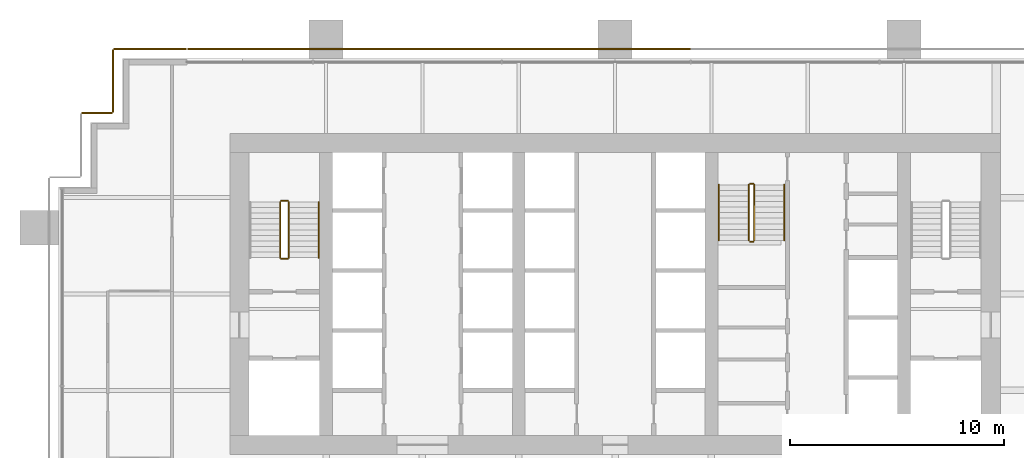
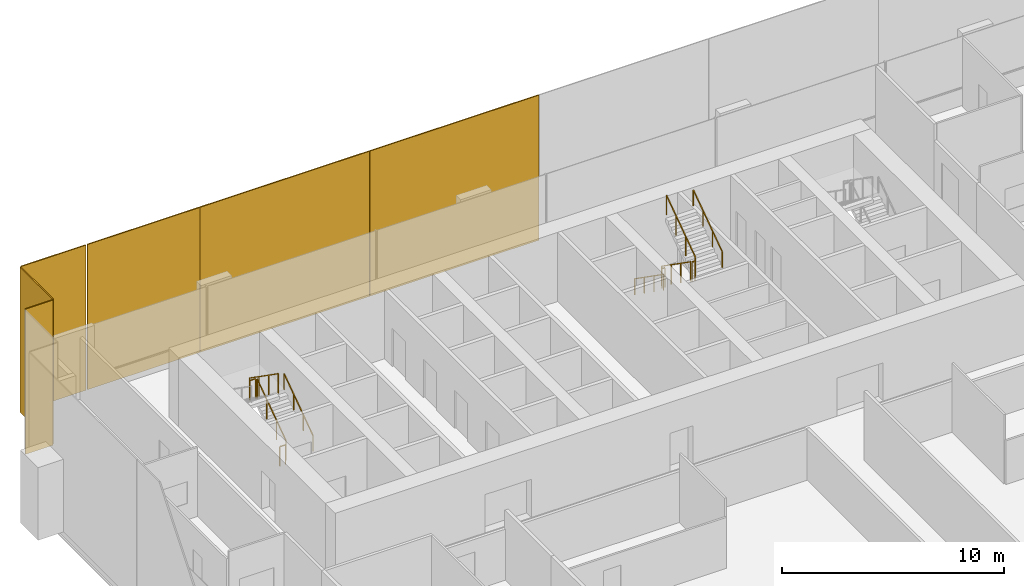
# One storey, part 18 of 19: 11 railings, 6 coverings.
"""IFC4 building model written with IfcOpenShell, lengths in metres."""

from ifc_helpers import new_model, si_unit, direction, frame, origin, origin_2d, place, context, subcontext, project, spatial, rectangle, extrude, material, layer, layer_set, type_object, element, save


model = new_model("IFC4")

# Units and contexts
model_context = context("Model", 3, precision=1e-05, world=origin(), true_north=direction((0.0, 1.0)))
body_context = subcontext(model_context, "Body", "Model", "MODEL_VIEW")
ifc_project = project(units=[si_unit("LENGTHUNIT", "METRE"), si_unit("AREAUNIT", "SQUARE_METRE"), si_unit("VOLUMEUNIT", "CUBIC_METRE"), si_unit("PLANEANGLEUNIT", "RADIAN"), si_unit("MASSUNIT", "GRAM", prefix="KILO")], contexts=[model_context])

# Site, building, storey
site_placement = place(None, origin())
site = spatial("IfcSite", under=ifc_project, at=site_placement, CompositionType="ELEMENT")
building_placement = place(site_placement, origin())
building = spatial("IfcBuilding", under=site, at=building_placement, Name="Rattan Terrace Tower", CompositionType="ELEMENT")
storey_placement = place(building_placement, frame((0.0, 0.0, 91.699951171875)))
storey = spatial("IfcBuildingStorey", under=building, at=storey_placement, Name="L20", CompositionType="ELEMENT", Elevation=91.699951171875)

# Railings
ifc_material_1 = material(Name="Powder-coated steel guard", Category="steel")
railing_type_1 = type_object("IfcRailingType", Name="Core stair guard", PredefinedType="GUARDRAIL", material=ifc_material_1)
railing_1_placement = place(storey_placement, frame((-15.25, 1.699951171875, 0.181884765625)))
element("IfcRailing", 1, at=railing_1_placement, inside=storey, type_object=railing_type_1, Name="L20 S1 stair guard 1", PredefinedType="GUARDRAIL", context=body_context, shape_type="SweptSolid", body=[
    extrude(rectangle(XDim=0.048095703125, YDim=0.048095703125, at=origin_2d()), frame((0.0, 0.0, 1.076171875), z_axis=(0.0, 0.819521025635, 0.573049115296), x_axis=(-1.0, 0.0, 0.0)), (0.0, 0.0, 1.0), 3.172607421875),
    extrude(rectangle(XDim=0.0419921875, YDim=0.0419921875, at=origin_2d()), origin(), (0.0, 0.0, 1.0), 1.052001953125),
    extrude(rectangle(XDim=0.0419921875, YDim=0.0419921875, at=origin_2d()), frame((0.0, 0.86669921875, 0.60595703125)), (0.0, 0.0, 1.0), 1.052001953125),
    extrude(rectangle(XDim=0.0419921875, YDim=0.0419921875, at=origin_2d()), frame((0.0, 1.7333984375, 1.212158203125)), (0.0, 0.0, 1.0), 1.052001953125),
    extrude(rectangle(XDim=0.0419921875, YDim=0.0419921875, at=origin_2d()), frame((0.0, 2.60009765625, 1.818115234375)), (0.0, 0.0, 1.0), 1.052001953125),
])
railing_2_placement = place(storey_placement, frame((-15.300048828125, 4.35009765625, 2.0)))
element("IfcRailing", 2, at=railing_2_placement, inside=storey, type_object=railing_type_1, Name="L20 S1 stair guard 2", PredefinedType="GUARDRAIL", context=body_context, shape_type="SweptSolid", body=[
    extrude(rectangle(XDim=0.048095703125, YDim=0.048095703125, at=origin_2d()), frame((0.0, 0.0, 1.076171875), z_axis=(-1.0, 0.0, 0.0), x_axis=(0.0, -1.0, 0.0)), (0.0, 0.0, 1.0), 0.300048828125),
    extrude(rectangle(XDim=0.0419921875, YDim=0.0419921875, at=origin_2d()), origin(), (0.0, 0.0, 1.0), 1.052001953125),
    extrude(rectangle(XDim=0.0419921875, YDim=0.0419921875, at=origin_2d()), frame((-0.300048828125, 0.0, 0.0)), (0.0, 0.0, 1.0), 1.052001953125),
])
railing_3_placement = place(storey_placement, frame((-15.64990234375, 4.300048828125, 2.181884765625)))
element("IfcRailing", 3, at=railing_3_placement, inside=storey, type_object=railing_type_1, Name="L20 S1 stair guard 3", PredefinedType="GUARDRAIL", context=body_context, shape_type="SweptSolid", body=[
    extrude(rectangle(XDim=0.048095703125, YDim=0.048095703125, at=origin_2d()), frame((0.0, 0.0, 1.076171875), z_axis=(0.0, -0.819521025635, 0.573049115296), x_axis=(1.0, 0.0, 0.0)), (0.0, 0.0, 1.0), 3.172607421875),
    extrude(rectangle(XDim=0.0419921875, YDim=0.0419921875, at=origin_2d()), origin(), (0.0, 0.0, 1.0), 1.052001953125),
    extrude(rectangle(XDim=0.0419921875, YDim=0.0419921875, at=origin_2d()), frame((0.0, -0.86669921875, 0.60595703125)), (0.0, 0.0, 1.0), 1.052001953125),
    extrude(rectangle(XDim=0.0419921875, YDim=0.0419921875, at=origin_2d()), frame((0.0, -1.7333984375, 1.212158203125)), (0.0, 0.0, 1.0), 1.052001953125),
    extrude(rectangle(XDim=0.0419921875, YDim=0.0419921875, at=origin_2d()), frame((0.0, -2.60009765625, 1.818115234375)), (0.0, 0.0, 1.0), 1.052001953125),
])
railing_4_placement = place(storey_placement, frame((-15.300048828125, 1.64990234375, 0.0)))
element("IfcRailing", 4, at=railing_4_placement, inside=storey, type_object=railing_type_1, Name="L20 S1 stair guard 4", PredefinedType="GUARDRAIL", context=body_context, shape_type="SweptSolid", body=[
    extrude(rectangle(XDim=0.048095703125, YDim=0.048095703125, at=origin_2d()), frame((0.0, 0.0, 1.076171875), z_axis=(-1.0, 0.0, 0.0), x_axis=(0.0, -1.0, 0.0)), (0.0, 0.0, 1.0), 0.300048828125),
    extrude(rectangle(XDim=0.0419921875, YDim=0.0419921875, at=origin_2d()), origin(), (0.0, 0.0, 1.0), 1.052001953125),
    extrude(rectangle(XDim=0.0419921875, YDim=0.0419921875, at=origin_2d()), frame((-0.300048828125, 0.0, 0.0)), (0.0, 0.0, 1.0), 1.052001953125),
])
railing_5_placement = place(storey_placement, frame((6.25, 5.10009765625, 0.181884765625)))
element("IfcRailing", 5, at=railing_5_placement, inside=storey, type_object=railing_type_1, Name="L20 S3 stair guard 1", PredefinedType="GUARDRAIL", context=body_context, shape_type="SweptSolid", body=[
    extrude(rectangle(XDim=0.048095703125, YDim=0.048095703125, at=origin_2d()), frame((0.0, 0.0, 1.076171875), z_axis=(0.0, -0.819521025635, 0.573049115296), x_axis=(1.0, 0.0, 0.0)), (0.0, 0.0, 1.0), 3.172607421875),
    extrude(rectangle(XDim=0.0419921875, YDim=0.0419921875, at=origin_2d()), origin(), (0.0, 0.0, 1.0), 1.052001953125),
    extrude(rectangle(XDim=0.0419921875, YDim=0.0419921875, at=origin_2d()), frame((0.0, -0.86669921875, 0.60595703125)), (0.0, 0.0, 1.0), 1.052001953125),
    extrude(rectangle(XDim=0.0419921875, YDim=0.0419921875, at=origin_2d()), frame((0.0, -1.7333984375, 1.212158203125)), (0.0, 0.0, 1.0), 1.052001953125),
    extrude(rectangle(XDim=0.0419921875, YDim=0.0419921875, at=origin_2d()), frame((0.0, -2.60009765625, 1.818115234375)), (0.0, 0.0, 1.0), 1.052001953125),
])
railing_6_placement = place(storey_placement, frame((6.300048828125, 2.449951171875, 2.0)))
element("IfcRailing", 6, at=railing_6_placement, inside=storey, type_object=railing_type_1, Name="L20 S3 stair guard 2", PredefinedType="GUARDRAIL", context=body_context, shape_type="SweptSolid", body=[
    extrude(rectangle(XDim=0.048095703125, YDim=0.048095703125, at=origin_2d()), frame((0.0, 0.0, 1.076171875), z_axis=(1.0, 0.0, 0.0), x_axis=(0.0, 1.0, 0.0)), (0.0, 0.0, 1.0), 0.14990234375),
    extrude(rectangle(XDim=0.0419921875, YDim=0.0419921875, at=origin_2d()), origin(), (0.0, 0.0, 1.0), 1.052001953125),
    extrude(rectangle(XDim=0.0419921875, YDim=0.0419921875, at=origin_2d()), frame((0.14990234375, 0.0, 0.0)), (0.0, 0.0, 1.0), 1.052001953125),
])
railing_7_placement = place(storey_placement, frame((6.5, 2.5, 2.181884765625)))
element("IfcRailing", 7, at=railing_7_placement, inside=storey, type_object=railing_type_1, Name="L20 S3 stair guard 3", PredefinedType="GUARDRAIL", context=body_context, shape_type="SweptSolid", body=[
    extrude(rectangle(XDim=0.048095703125, YDim=0.048095703125, at=origin_2d()), frame((0.0, 0.0, 1.076171875), z_axis=(0.0, 0.819521025635, 0.573049115296), x_axis=(-1.0, 0.0, 0.0)), (0.0, 0.0, 1.0), 3.172607421875),
    extrude(rectangle(XDim=0.0419921875, YDim=0.0419921875, at=origin_2d()), origin(), (0.0, 0.0, 1.0), 1.052001953125),
    extrude(rectangle(XDim=0.0419921875, YDim=0.0419921875, at=origin_2d()), frame((0.0, 0.86669921875, 0.60595703125)), (0.0, 0.0, 1.0), 1.052001953125),
    extrude(rectangle(XDim=0.0419921875, YDim=0.0419921875, at=origin_2d()), frame((0.0, 1.7333984375, 1.212158203125)), (0.0, 0.0, 1.0), 1.052001953125),
    extrude(rectangle(XDim=0.0419921875, YDim=0.0419921875, at=origin_2d()), frame((0.0, 2.60009765625, 1.818115234375)), (0.0, 0.0, 1.0), 1.052001953125),
])
railing_8_placement = place(storey_placement, frame((6.300048828125, 5.14990234375, 0.0)))
element("IfcRailing", 8, at=railing_8_placement, inside=storey, type_object=railing_type_1, Name="L20 S3 stair guard 4", PredefinedType="GUARDRAIL", context=body_context, shape_type="SweptSolid", body=[
    extrude(rectangle(XDim=0.048095703125, YDim=0.048095703125, at=origin_2d()), frame((0.0, 0.0, 1.076171875), z_axis=(1.0, 0.0, 0.0), x_axis=(0.0, 1.0, 0.0)), (0.0, 0.0, 1.0), 0.14990234375),
    extrude(rectangle(XDim=0.0419921875, YDim=0.0419921875, at=origin_2d()), origin(), (0.0, 0.0, 1.0), 1.052001953125),
    extrude(rectangle(XDim=0.0419921875, YDim=0.0419921875, at=origin_2d()), frame((0.14990234375, 0.0, 0.0)), (0.0, 0.0, 1.0), 1.052001953125),
])
ifc_material_2 = material(Name="Powder-coated steel handrail", Category="steel")
railing_type_2 = type_object("IfcRailingType", Name="Core stair handrail", PredefinedType="HANDRAIL", material=ifc_material_2)
railing_9_placement = place(storey_placement, frame((-13.85009765625, 1.699951171875, 0.181884765625)))
element("IfcRailing", 9, at=railing_9_placement, inside=storey, type_object=railing_type_2, Name="L20 S1 stair handrail 1", PredefinedType="HANDRAIL", context=body_context, shape_type="SweptSolid", body=[
    extrude(rectangle(XDim=0.048095703125, YDim=0.048095703125, at=origin_2d()), frame((0.0, 0.0, 0.8759765625), z_axis=(0.0, 0.819521025635, 0.573049115296), x_axis=(-1.0, 0.0, 0.0)), (0.0, 0.0, 1.0), 3.172607421875),
    extrude(rectangle(XDim=0.0419921875, YDim=0.0419921875, at=origin_2d()), origin(), (0.0, 0.0, 1.0), 0.851806640625),
    extrude(rectangle(XDim=0.0419921875, YDim=0.0419921875, at=origin_2d()), frame((0.0, 0.86669921875, 0.60595703125)), (0.0, 0.0, 1.0), 0.851806640625),
    extrude(rectangle(XDim=0.0419921875, YDim=0.0419921875, at=origin_2d()), frame((0.0, 1.7333984375, 1.212158203125)), (0.0, 0.0, 1.0), 0.851806640625),
    extrude(rectangle(XDim=0.0419921875, YDim=0.0419921875, at=origin_2d()), frame((0.0, 2.60009765625, 1.818115234375)), (0.0, 0.0, 1.0), 0.851806640625),
])
railing_10_placement = place(storey_placement, frame((4.85009765625, 5.10009765625, 0.181884765625)))
element("IfcRailing", 10, at=railing_10_placement, inside=storey, type_object=railing_type_2, Name="L20 S3 stair handrail 1", PredefinedType="HANDRAIL", context=body_context, shape_type="SweptSolid", body=[
    extrude(rectangle(XDim=0.048095703125, YDim=0.048095703125, at=origin_2d()), frame((0.0, 0.0, 0.8759765625), z_axis=(0.0, -0.819521025635, 0.573049115296), x_axis=(1.0, 0.0, 0.0)), (0.0, 0.0, 1.0), 3.172607421875),
    extrude(rectangle(XDim=0.0419921875, YDim=0.0419921875, at=origin_2d()), origin(), (0.0, 0.0, 1.0), 0.851806640625),
    extrude(rectangle(XDim=0.0419921875, YDim=0.0419921875, at=origin_2d()), frame((0.0, -0.86669921875, 0.60595703125)), (0.0, 0.0, 1.0), 0.851806640625),
    extrude(rectangle(XDim=0.0419921875, YDim=0.0419921875, at=origin_2d()), frame((0.0, -1.7333984375, 1.212158203125)), (0.0, 0.0, 1.0), 0.851806640625),
    extrude(rectangle(XDim=0.0419921875, YDim=0.0419921875, at=origin_2d()), frame((0.0, -2.60009765625, 1.818115234375)), (0.0, 0.0, 1.0), 0.851806640625),
])
railing_11_placement = place(storey_placement, frame((7.89990234375, 2.5, 2.181884765625)))
element("IfcRailing", 11, at=railing_11_placement, inside=storey, type_object=railing_type_2, Name="L20 S3 stair handrail 2", PredefinedType="HANDRAIL", context=body_context, shape_type="SweptSolid", body=[
    extrude(rectangle(XDim=0.048095703125, YDim=0.048095703125, at=origin_2d()), frame((0.0, 0.0, 0.8759765625), z_axis=(0.0, 0.819521025635, 0.573049115296), x_axis=(-1.0, 0.0, 0.0)), (0.0, 0.0, 1.0), 3.172607421875),
    extrude(rectangle(XDim=0.0419921875, YDim=0.0419921875, at=origin_2d()), origin(), (0.0, 0.0, 1.0), 0.851806640625),
    extrude(rectangle(XDim=0.0419921875, YDim=0.0419921875, at=origin_2d()), frame((0.0, 0.86669921875, 0.60595703125)), (0.0, 0.0, 1.0), 0.851806640625),
    extrude(rectangle(XDim=0.0419921875, YDim=0.0419921875, at=origin_2d()), frame((0.0, 1.7333984375, 1.212158203125)), (0.0, 0.0, 1.0), 0.851806640625),
    extrude(rectangle(XDim=0.0419921875, YDim=0.0419921875, at=origin_2d()), frame((0.0, 2.60009765625, 1.818115234375)), (0.0, 0.0, 1.0), 0.851806640625),
])

# Coverings
ifc_material_3 = material(Name="Perforated terracotta", Category="masonry")
ifc_layer = layer(ifc_material_3, 0.06005859375)
ifc_layer_set = layer_set([ifc_layer], Name="Facade Terracotta Screen Panel")
covering_type = type_object("IfcCoveringType", Name="Facade Terracotta Screen Panel", PredefinedType="CLADDING", material=ifc_layer_set)
for number, where, z_axis, x_axis, name in (
    (12, (-0.880615234375, 11.449951171875, -0.18994140625), (0.0, 0.0, 1.0), (-1.0, 0.0, 0.0), "OUTER SKIN panel L20-18"),
    (13, (-9.70361328125, 11.449951171875, -0.18994140625), (0.0, 0.0, 1.0), (-1.0, 0.0, 0.0), "OUTER SKIN panel L20-19"),
):
    element("IfcCovering", number, at=place(storey_placement, frame(where, z_axis=z_axis, x_axis=x_axis)), inside=storey, type_object=covering_type, Name=name, PredefinedType="CLADDING", context=body_context, shape_type="SweptSolid", body=[
        extrude(rectangle(XDim=8.802978515625, YDim=0.06005859375, at=origin_2d()), origin(), (0.0, 0.0, 1.0), 7.97998046875),
    ])
covering_1_placement = place(storey_placement, frame((-17.04248046875, 11.449951171875, -0.18994140625), z_axis=(0.0, 0.0, 1.0), x_axis=(-1.0, 0.0, 0.0)))
element("IfcCovering", 14, at=covering_1_placement, inside=storey, type_object=covering_type, Name="OUTER SKIN panel L20-20", PredefinedType="CLADDING", context=body_context, shape_type="SweptSolid", body=[
    extrude(rectangle(XDim=5.8349609375, YDim=0.06005859375, at=origin_2d()), origin(), (0.0, 0.0, 1.0), 7.97998046875),
])
covering_2_placement = place(storey_placement, frame((-21.72509765625, 11.449951171875, -0.18994140625), z_axis=(0.0, 0.0, 1.0), x_axis=(-1.0, 0.0, 0.0)))
element("IfcCovering", 15, at=covering_2_placement, inside=storey, type_object=covering_type, Name="OUTER SKIN panel L20-21", PredefinedType="CLADDING", context=body_context, shape_type="SweptSolid", body=[
    extrude(rectangle(XDim=3.3701171875, YDim=0.06005859375, at=origin_2d()), origin(), (0.0, 0.0, 1.0), 7.97998046875),
])
covering_3_placement = place(storey_placement, frame((-23.449951171875, 9.949951171875, -0.18994140625), z_axis=(0.0, 0.0, 1.0), x_axis=(0.0, -1.0, 0.0)))
element("IfcCovering", 16, at=covering_3_placement, inside=storey, type_object=covering_type, Name="OUTER SKIN panel L20-22", PredefinedType="CLADDING", context=body_context, shape_type="SweptSolid", body=[
    extrude(rectangle(XDim=2.919921875, YDim=0.06005859375, at=origin_2d()), origin(), (0.0, 0.0, 1.0), 7.97998046875),
])
covering_4_placement = place(storey_placement, frame((-24.199951171875, 8.449951171875, -0.18994140625), z_axis=(0.0, 0.0, 1.0), x_axis=(-1.0, 0.0, 0.0)))
element("IfcCovering", 17, at=covering_4_placement, inside=storey, type_object=covering_type, Name="OUTER SKIN panel L20-23", PredefinedType="CLADDING", context=body_context, shape_type="SweptSolid", body=[
    extrude(rectangle(XDim=1.419921875, YDim=0.06005859375, at=origin_2d()), origin(), (0.0, 0.0, 1.0), 7.97998046875),
])

save(model, "model.ifc")
